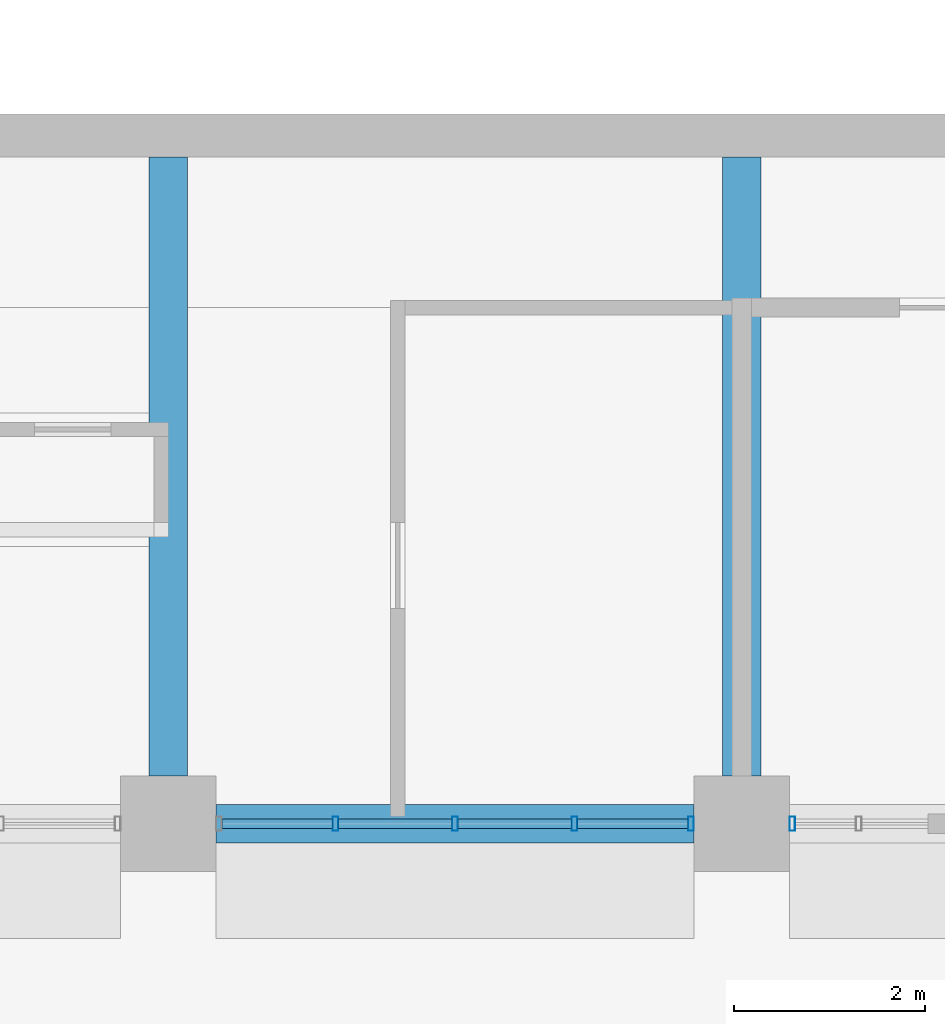
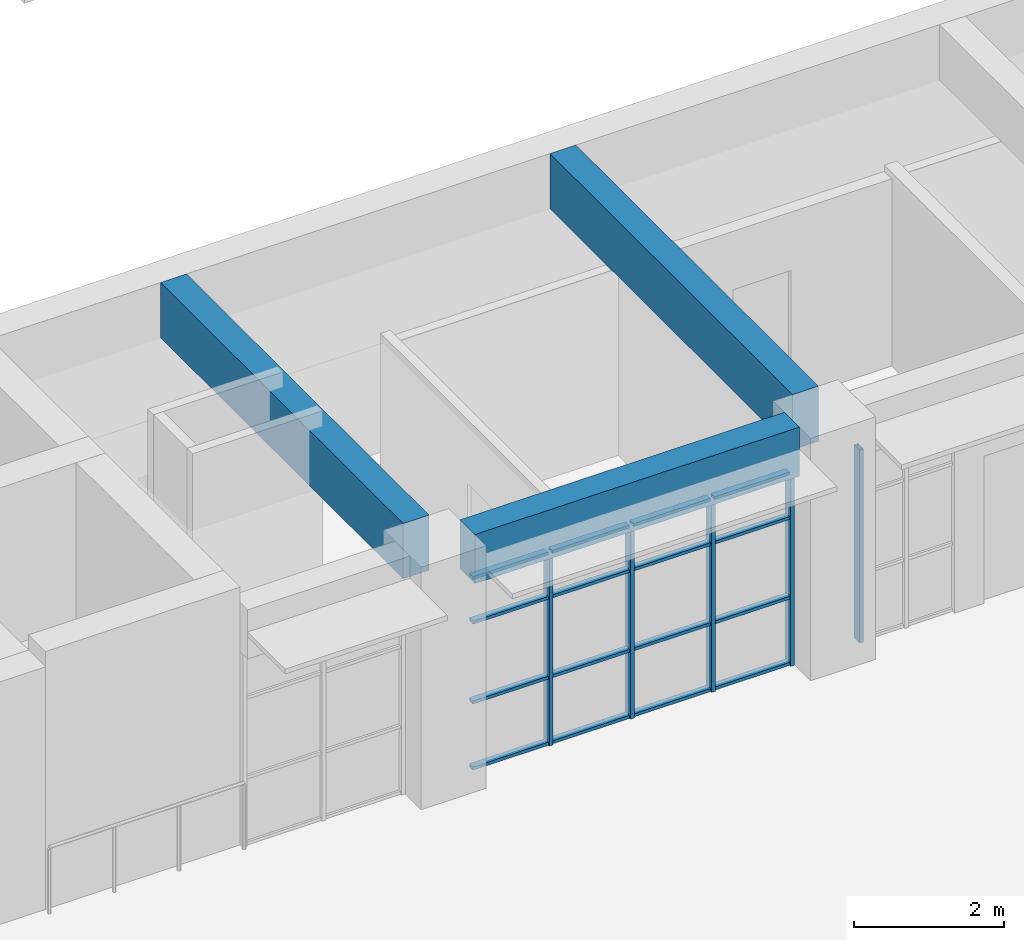
# One storey, part 27 of 103: 21 members, 3 beams, 2 elements without a shape of their own.
"""IFC4 building model written with IfcOpenShell, lengths in metres."""

from ifc_helpers import new_model, si_unit, direction, frame, origin, origin_2d, place, context, subcontext, project, spatial, rectangle, hollow_rectangle, extrude, material, material_profile, profile_set, type_object, element, aggregate, save


model = new_model("IFC4")

# Units and contexts
model_context = context("Model", 3, precision=1e-05, world=origin(), true_north=direction((0.0, 1.0)))
body_context = subcontext(model_context, "Body", "Model", "MODEL_VIEW")
ifc_project = project(units=[si_unit("LENGTHUNIT", "METRE"), si_unit("AREAUNIT", "SQUARE_METRE"), si_unit("VOLUMEUNIT", "CUBIC_METRE"), si_unit("PLANEANGLEUNIT", "RADIAN"), si_unit("MASSUNIT", "GRAM", prefix="KILO")], contexts=[model_context])

# Site, building, storey
site_placement = place(None, origin())
site = spatial("IfcSite", under=ifc_project, at=site_placement, CompositionType="ELEMENT")
building_placement = place(site_placement, origin())
building = spatial("IfcBuilding", under=site, at=building_placement, Name="Laocheng Heights Fire and Rescue Headquarters", CompositionType="ELEMENT")
storey_placement = place(building_placement, frame((0.0, 0.0, 4.199951171875)))
storey = spatial("IfcBuildingStorey", under=building, at=storey_placement, Name="L01", CompositionType="ELEMENT", Elevation=4.199951171875)

# Curtain wall, members
ifc_material_1 = material(Name="Dark anodised aluminium unitised curtain wall, low-e double glazing", Category="aluminium")
curtain_wall_type_1 = type_object("IfcCurtainWallType", Name="CW 5000 x 3150 HQ SOUTH RIBBON", PredefinedType="NOTDEFINED", material=ifc_material_1)
curtain_wall_1_placement = place(storey_placement, origin())
curtain_wall_1 = element("IfcCurtainWall", 1, at=curtain_wall_1_placement, inside=storey, type_object=curtain_wall_type_1, Name="X4-X HQ SOUTH L01", PredefinedType="NOTDEFINED")
ifc_material_2 = material(Name="Dark anodised aluminium 6063-T5 extrusion", Category="aluminium")
ifc_material_profile_1 = material_profile(ifc_material_2, hollow_rectangle(XDim=0.14990234375, YDim=0.06005859375, WallThickness=0.0029296875, at=origin_2d()), Name="AL MULLION 150x60x3 HQ SOUTH RIBBON")
ifc_profile_set_1 = profile_set([ifc_material_profile_1], Name="Dark anodised aluminium 6063-T5 extrusion")
member_type_1 = type_object("IfcMemberType", Name="AL MULLION 150x60x3 HQ SOUTH RIBBON", PredefinedType="MULLION", material=ifc_profile_set_1)
member_1_placement = place(storey_placement, frame((55.75, 50.39990234375, 0.0), z_axis=(0.0, 0.0, 1.0), x_axis=(0.0, 1.0, 0.0)))
member_1 = element("IfcMember", 2, at=member_1_placement, type_object=member_type_1, Name="X4-X mullion 2", PredefinedType="MULLION", context=body_context, shape_type="SweptSolid", body=[
    extrude(hollow_rectangle(XDim=0.14990234375, YDim=0.06005859375, WallThickness=0.0029296875, at=origin_2d()), origin(), (0.0, 0.0, 1.0), 3.150146484375),
])
member_2_placement = place(storey_placement, frame((57.0, 50.39990234375, 0.0), z_axis=(0.0, 0.0, 1.0), x_axis=(0.0, 1.0, 0.0)))
member_2 = element("IfcMember", 3, at=member_2_placement, type_object=member_type_1, Name="X4-X mullion 3", PredefinedType="MULLION", context=body_context, shape_type="SweptSolid", body=[
    extrude(hollow_rectangle(XDim=0.14990234375, YDim=0.06005859375, WallThickness=0.0029296875, at=origin_2d()), origin(), (0.0, 0.0, 1.0), 3.150146484375),
])
member_3_placement = place(storey_placement, frame((58.25, 50.39990234375, 0.0), z_axis=(0.0, 0.0, 1.0), x_axis=(0.0, 1.0, 0.0)))
member_3 = element("IfcMember", 4, at=member_3_placement, type_object=member_type_1, Name="X4-X mullion 4", PredefinedType="MULLION", context=body_context, shape_type="SweptSolid", body=[
    extrude(hollow_rectangle(XDim=0.14990234375, YDim=0.06005859375, WallThickness=0.0029296875, at=origin_2d()), origin(), (0.0, 0.0, 1.0), 3.150146484375),
])
member_4_placement = place(storey_placement, frame((59.469970703125, 50.39990234375, 0.0), z_axis=(0.0, 0.0, 1.0), x_axis=(0.0, 1.0, 0.0)))
member_4 = element("IfcMember", 5, at=member_4_placement, type_object=member_type_1, Name="X4-X mullion 5", PredefinedType="MULLION", context=body_context, shape_type="SweptSolid", body=[
    extrude(hollow_rectangle(XDim=0.14990234375, YDim=0.06005859375, WallThickness=0.0029296875, at=origin_2d()), origin(), (0.0, 0.0, 1.0), 3.150146484375),
])

# Curtain wall, member
ifc_material_3 = material(Name="Dark anodised aluminium unitised curtain wall, low-e double glazing", Category="aluminium")
curtain_wall_type_2 = type_object("IfcCurtainWallType", Name="CW 1450 x 3150 HQ SOUTH RIBBON", PredefinedType="NOTDEFINED", material=ifc_material_3)
curtain_wall_2_placement = place(storey_placement, origin())
curtain_wall_2 = element("IfcCurtainWall", 6, at=curtain_wall_2_placement, inside=storey, type_object=curtain_wall_type_2, Name="X5-X HQ SOUTH L01", PredefinedType="NOTDEFINED")
member_5_placement = place(storey_placement, frame((60.530029296875, 50.39990234375, 0.0), z_axis=(0.0, 0.0, 1.0), x_axis=(0.0, 1.0, 0.0)))
member_5 = element("IfcMember", 7, at=member_5_placement, type_object=member_type_1, Name="X5-X mullion 1", PredefinedType="MULLION", context=body_context, shape_type="SweptSolid", body=[
    extrude(hollow_rectangle(XDim=0.14990234375, YDim=0.06005859375, WallThickness=0.0029296875, at=origin_2d()), origin(), (0.0, 0.0, 1.0), 3.150146484375),
])
aggregate(curtain_wall_2, [member_5])

# Member
ifc_material_4 = material(Name="Dark anodised aluminium 6063-T5 extrusion", Category="aluminium")
ifc_material_profile_2 = material_profile(ifc_material_4, hollow_rectangle(XDim=0.10009765625, YDim=0.050048828125, WallThickness=0.0029296875, at=origin_2d()), Name="AL TRANSOM 100x50x3 HQ SOUTH RIBBON")
ifc_profile_set_2 = profile_set([ifc_material_profile_2], Name="Dark anodised aluminium 6063-T5 extrusion")
member_type_2 = type_object("IfcMemberType", Name="AL TRANSOM 100x50x3 HQ SOUTH RIBBON", PredefinedType="USERDEFINED", material=ifc_profile_set_2)
member_6_placement = place(storey_placement, frame((54.56005859375, 50.39990234375, 0.025146484375), z_axis=(1.0, 0.0, 0.0), x_axis=(0.0, 1.0, 0.0)))
member_6 = element("IfcMember", 8, at=member_6_placement, type_object=member_type_2, Name="X4-X transom 1.1", ObjectType="TRANSOM", PredefinedType="USERDEFINED", context=body_context, shape_type="SweptSolid", body=[
    extrude(hollow_rectangle(XDim=0.10009765625, YDim=0.050048828125, WallThickness=0.0029296875, at=origin_2d()), origin(), (0.0, 0.0, 1.0), 1.159912109375),
])

member_7_placement = place(storey_placement, frame((54.56005859375, 50.39990234375, 1.10009765625), z_axis=(1.0, 0.0, 0.0), x_axis=(0.0, 1.0, 0.0)))
member_7 = element("IfcMember", 9, at=member_7_placement, type_object=member_type_2, Name="X4-X transom 1.2", ObjectType="TRANSOM", PredefinedType="USERDEFINED", context=body_context, shape_type="SweptSolid", body=[
    extrude(hollow_rectangle(XDim=0.10009765625, YDim=0.050048828125, WallThickness=0.0029296875, at=origin_2d()), origin(), (0.0, 0.0, 1.0), 1.159912109375),
])

member_8_placement = place(storey_placement, frame((54.56005859375, 50.39990234375, 2.400146484375), z_axis=(1.0, 0.0, 0.0), x_axis=(0.0, 1.0, 0.0)))
member_8 = element("IfcMember", 10, at=member_8_placement, type_object=member_type_2, Name="X4-X transom 1.3", ObjectType="TRANSOM", PredefinedType="USERDEFINED", context=body_context, shape_type="SweptSolid", body=[
    extrude(hollow_rectangle(XDim=0.10009765625, YDim=0.050048828125, WallThickness=0.0029296875, at=origin_2d()), origin(), (0.0, 0.0, 1.0), 1.159912109375),
])

member_9_placement = place(storey_placement, frame((54.56005859375, 50.39990234375, 3.125), z_axis=(1.0, 0.0, 0.0), x_axis=(0.0, 1.0, 0.0)))
member_9 = element("IfcMember", 11, at=member_9_placement, type_object=member_type_2, Name="X4-X transom 1.4", ObjectType="TRANSOM", PredefinedType="USERDEFINED", context=body_context, shape_type="SweptSolid", body=[
    extrude(hollow_rectangle(XDim=0.10009765625, YDim=0.050048828125, WallThickness=0.0029296875, at=origin_2d()), origin(), (0.0, 0.0, 1.0), 1.159912109375),
])

member_10_placement = place(storey_placement, frame((55.780029296875, 50.39990234375, 0.025146484375), z_axis=(1.0, 0.0, 0.0), x_axis=(0.0, 1.0, 0.0)))
member_10 = element("IfcMember", 12, at=member_10_placement, type_object=member_type_2, Name="X4-X transom 2.1", ObjectType="TRANSOM", PredefinedType="USERDEFINED", context=body_context, shape_type="SweptSolid", body=[
    extrude(hollow_rectangle(XDim=0.10009765625, YDim=0.050048828125, WallThickness=0.0029296875, at=origin_2d()), origin(), (0.0, 0.0, 1.0), 1.18994140625),
])

member_11_placement = place(storey_placement, frame((55.780029296875, 50.39990234375, 1.10009765625), z_axis=(1.0, 0.0, 0.0), x_axis=(0.0, 1.0, 0.0)))
member_11 = element("IfcMember", 13, at=member_11_placement, type_object=member_type_2, Name="X4-X transom 2.2", ObjectType="TRANSOM", PredefinedType="USERDEFINED", context=body_context, shape_type="SweptSolid", body=[
    extrude(hollow_rectangle(XDim=0.10009765625, YDim=0.050048828125, WallThickness=0.0029296875, at=origin_2d()), origin(), (0.0, 0.0, 1.0), 1.18994140625),
])

member_12_placement = place(storey_placement, frame((55.780029296875, 50.39990234375, 2.400146484375), z_axis=(1.0, 0.0, 0.0), x_axis=(0.0, 1.0, 0.0)))
member_12 = element("IfcMember", 14, at=member_12_placement, type_object=member_type_2, Name="X4-X transom 2.3", ObjectType="TRANSOM", PredefinedType="USERDEFINED", context=body_context, shape_type="SweptSolid", body=[
    extrude(hollow_rectangle(XDim=0.10009765625, YDim=0.050048828125, WallThickness=0.0029296875, at=origin_2d()), origin(), (0.0, 0.0, 1.0), 1.18994140625),
])

member_13_placement = place(storey_placement, frame((55.780029296875, 50.39990234375, 3.125), z_axis=(1.0, 0.0, 0.0), x_axis=(0.0, 1.0, 0.0)))
member_13 = element("IfcMember", 15, at=member_13_placement, type_object=member_type_2, Name="X4-X transom 2.4", ObjectType="TRANSOM", PredefinedType="USERDEFINED", context=body_context, shape_type="SweptSolid", body=[
    extrude(hollow_rectangle(XDim=0.10009765625, YDim=0.050048828125, WallThickness=0.0029296875, at=origin_2d()), origin(), (0.0, 0.0, 1.0), 1.18994140625),
])

member_14_placement = place(storey_placement, frame((57.030029296875, 50.39990234375, 0.025146484375), z_axis=(1.0, 0.0, 0.0), x_axis=(0.0, 1.0, 0.0)))
member_14 = element("IfcMember", 16, at=member_14_placement, type_object=member_type_2, Name="X4-X transom 3.1", ObjectType="TRANSOM", PredefinedType="USERDEFINED", context=body_context, shape_type="SweptSolid", body=[
    extrude(hollow_rectangle(XDim=0.10009765625, YDim=0.050048828125, WallThickness=0.0029296875, at=origin_2d()), origin(), (0.0, 0.0, 1.0), 1.18994140625),
])

member_15_placement = place(storey_placement, frame((57.030029296875, 50.39990234375, 1.10009765625), z_axis=(1.0, 0.0, 0.0), x_axis=(0.0, 1.0, 0.0)))
member_15 = element("IfcMember", 17, at=member_15_placement, type_object=member_type_2, Name="X4-X transom 3.2", ObjectType="TRANSOM", PredefinedType="USERDEFINED", context=body_context, shape_type="SweptSolid", body=[
    extrude(hollow_rectangle(XDim=0.10009765625, YDim=0.050048828125, WallThickness=0.0029296875, at=origin_2d()), origin(), (0.0, 0.0, 1.0), 1.18994140625),
])

member_16_placement = place(storey_placement, frame((57.030029296875, 50.39990234375, 2.400146484375), z_axis=(1.0, 0.0, 0.0), x_axis=(0.0, 1.0, 0.0)))
member_16 = element("IfcMember", 18, at=member_16_placement, type_object=member_type_2, Name="X4-X transom 3.3", ObjectType="TRANSOM", PredefinedType="USERDEFINED", context=body_context, shape_type="SweptSolid", body=[
    extrude(hollow_rectangle(XDim=0.10009765625, YDim=0.050048828125, WallThickness=0.0029296875, at=origin_2d()), origin(), (0.0, 0.0, 1.0), 1.18994140625),
])

member_17_placement = place(storey_placement, frame((57.030029296875, 50.39990234375, 3.125), z_axis=(1.0, 0.0, 0.0), x_axis=(0.0, 1.0, 0.0)))
member_17 = element("IfcMember", 19, at=member_17_placement, type_object=member_type_2, Name="X4-X transom 3.4", ObjectType="TRANSOM", PredefinedType="USERDEFINED", context=body_context, shape_type="SweptSolid", body=[
    extrude(hollow_rectangle(XDim=0.10009765625, YDim=0.050048828125, WallThickness=0.0029296875, at=origin_2d()), origin(), (0.0, 0.0, 1.0), 1.18994140625),
])

member_18_placement = place(storey_placement, frame((58.280029296875, 50.39990234375, 0.025146484375), z_axis=(1.0, 0.0, 0.0), x_axis=(0.0, 1.0, 0.0)))
member_18 = element("IfcMember", 20, at=member_18_placement, type_object=member_type_2, Name="X4-X transom 4.1", ObjectType="TRANSOM", PredefinedType="USERDEFINED", context=body_context, shape_type="SweptSolid", body=[
    extrude(hollow_rectangle(XDim=0.10009765625, YDim=0.050048828125, WallThickness=0.0029296875, at=origin_2d()), origin(), (0.0, 0.0, 1.0), 1.159912109375),
])

member_19_placement = place(storey_placement, frame((58.280029296875, 50.39990234375, 1.10009765625), z_axis=(1.0, 0.0, 0.0), x_axis=(0.0, 1.0, 0.0)))
member_19 = element("IfcMember", 21, at=member_19_placement, type_object=member_type_2, Name="X4-X transom 4.2", ObjectType="TRANSOM", PredefinedType="USERDEFINED", context=body_context, shape_type="SweptSolid", body=[
    extrude(hollow_rectangle(XDim=0.10009765625, YDim=0.050048828125, WallThickness=0.0029296875, at=origin_2d()), origin(), (0.0, 0.0, 1.0), 1.159912109375),
])

member_20_placement = place(storey_placement, frame((58.280029296875, 50.39990234375, 2.400146484375), z_axis=(1.0, 0.0, 0.0), x_axis=(0.0, 1.0, 0.0)))
member_20 = element("IfcMember", 22, at=member_20_placement, type_object=member_type_2, Name="X4-X transom 4.3", ObjectType="TRANSOM", PredefinedType="USERDEFINED", context=body_context, shape_type="SweptSolid", body=[
    extrude(hollow_rectangle(XDim=0.10009765625, YDim=0.050048828125, WallThickness=0.0029296875, at=origin_2d()), origin(), (0.0, 0.0, 1.0), 1.159912109375),
])

member_21_placement = place(storey_placement, frame((58.280029296875, 50.39990234375, 3.125), z_axis=(1.0, 0.0, 0.0), x_axis=(0.0, 1.0, 0.0)))
member_21 = element("IfcMember", 23, at=member_21_placement, type_object=member_type_2, Name="X4-X transom 4.4", ObjectType="TRANSOM", PredefinedType="USERDEFINED", context=body_context, shape_type="SweptSolid", body=[
    extrude(hollow_rectangle(XDim=0.10009765625, YDim=0.050048828125, WallThickness=0.0029296875, at=origin_2d()), origin(), (0.0, 0.0, 1.0), 1.159912109375),
])

aggregate(curtain_wall_1, [member_1, member_2, member_3, member_4, member_6, member_7, member_8, member_9, member_10, member_11, member_12, member_13, member_14, member_15, member_16, member_17, member_18, member_19, member_20, member_21])

# Beams
ifc_material_5 = material(Name="Concrete C40", Category="concrete")
ifc_material_profile_3 = material_profile(ifc_material_5, rectangle(XDim=0.39990234375, YDim=0.800048828125, at=origin_2d()), Name="RC BEAM 400x800 HQ")
ifc_profile_set_3 = profile_set([ifc_material_profile_3], Name="Concrete C40")
beam_type_1 = type_object("IfcBeamType", Name="RC BEAM 400x800 HQ", PredefinedType="BEAM", material=ifc_profile_set_3)
beam_placement = place(storey_placement, frame((54.5, 50.39990234375, 3.550048828125), z_axis=(1.0, 0.0, 0.0), x_axis=(0.0, 1.0, 0.0)))
element("IfcBeam", 24, at=beam_placement, inside=storey, type_object=beam_type_1, Name="HQ beam L01", PredefinedType="BEAM", context=body_context, shape_type="SweptSolid", body=[
    extrude(rectangle(XDim=0.39990234375, YDim=0.800048828125, at=origin_2d()), origin(), (0.0, 0.0, 1.0), 5.0),
])
ifc_material_6 = material(Name="Concrete C40", Category="concrete")
ifc_material_profile_4 = material_profile(ifc_material_6, rectangle(XDim=0.39990234375, YDim=0.89990234375, at=origin_2d()), Name="RC BEAM 400x900 HQ")
ifc_profile_set_4 = profile_set([ifc_material_profile_4], Name="Concrete C40")
beam_type_2 = type_object("IfcBeamType", Name="RC BEAM 400x900 HQ", PredefinedType="BEAM", material=ifc_profile_set_4)
for number, where, z_axis, x_axis, name in (
    (25, (54.0, 50.89990234375, 3.5), (0.0, 1.0, 0.0), (-1.0, 0.0, 0.0), "HQ beam L01"),
    (26, (60.0, 50.89990234375, 3.5), (0.0, 1.0, 0.0), (-1.0, 0.0, 0.0), "HQ beam L01"),
):
    element("IfcBeam", number, at=place(storey_placement, frame(where, z_axis=z_axis, x_axis=x_axis)), inside=storey, type_object=beam_type_2, Name=name, PredefinedType="BEAM", context=body_context, shape_type="SweptSolid", body=[
        extrude(rectangle(XDim=0.39990234375, YDim=0.89990234375, at=origin_2d()), origin(), (0.0, 0.0, 1.0), 6.47509765625),
    ])

save(model, "model.ifc")
